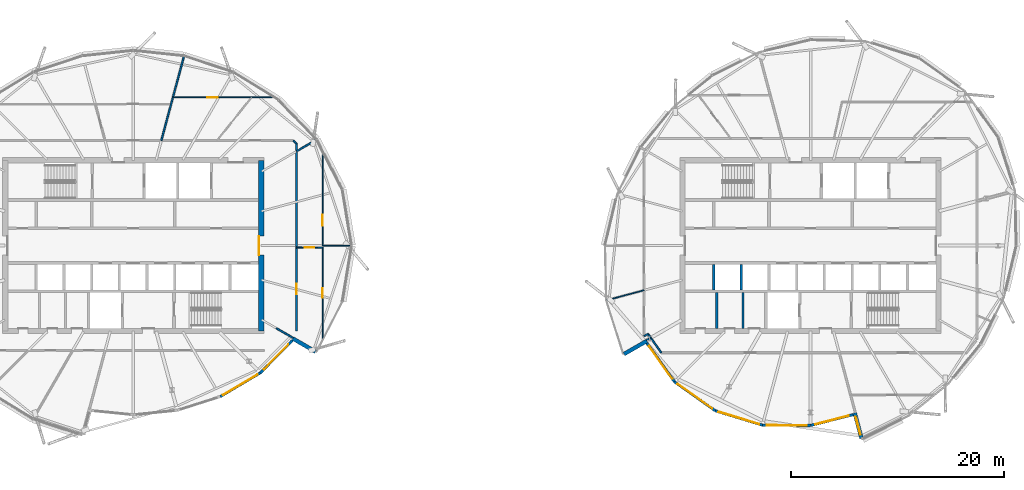
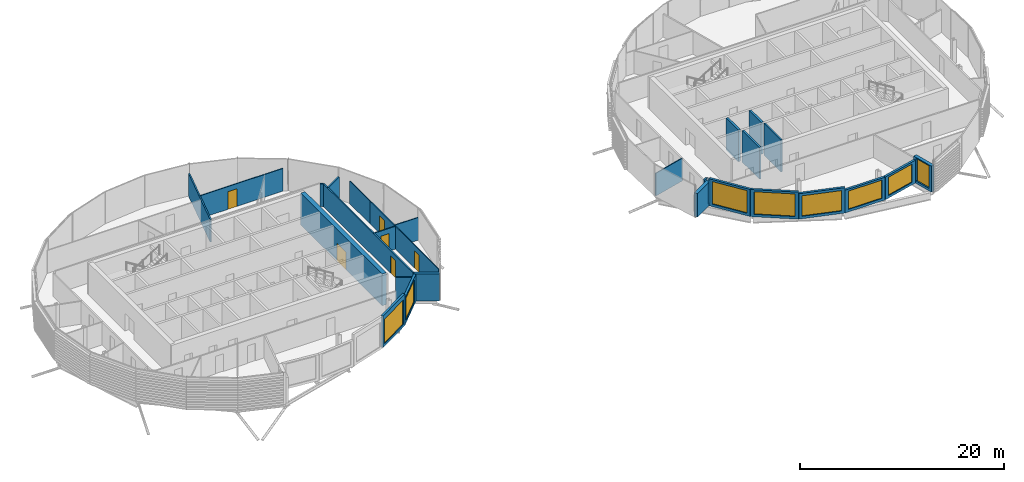
# One storey, part 19 of 33: 30 walls, 8 windows, 6 doors, 14 openings.
"""IFC4 building model written with IfcOpenShell, lengths in metres."""

from ifc_helpers import new_model, si_unit, direction, frame, frame_2d, origin, place, context, subcontext, project, spatial, rectangle, extrude, material, layer, layer_set, type_object, element, fill, save


model = new_model("IFC4")

# Units and contexts
model_context = context("Model", 3, precision=1e-05, world=origin(), true_north=direction((0.0, 1.0)))
body_context = subcontext(model_context, "Body", "Model", "MODEL_VIEW")
ifc_project = project(units=[si_unit("LENGTHUNIT", "METRE"), si_unit("AREAUNIT", "SQUARE_METRE"), si_unit("VOLUMEUNIT", "CUBIC_METRE"), si_unit("PLANEANGLEUNIT", "RADIAN"), si_unit("MASSUNIT", "GRAM", prefix="KILO")], contexts=[model_context])

# Site, building, storey
site_placement = place(None, origin())
site = spatial("IfcSite", under=ifc_project, at=site_placement, CompositionType="ELEMENT")
building_placement = place(site_placement, origin())
building = spatial("IfcBuilding", under=site, at=building_placement, Name="Rimbun Link Towers", CompositionType="ELEMENT")
storey_placement = place(building_placement, frame((0.0, 0.0, 240.89990234375)))
storey = spatial("IfcBuildingStorey", under=building, at=storey_placement, Name="L59", CompositionType="ELEMENT", Elevation=240.89990234375)

# Wall, opening, window
ifc_material_1 = material(Name="Dark enamelled glass spandrel on insulated aluminium backpan", Category="aluminium")
ifc_layer_1 = layer(ifc_material_1, 0.25)
ifc_layer_set_1 = layer_set([ifc_layer_1], Name="CS dark enamelled spandrel wall 250")
wall_type_1 = type_object("IfcWallType", Name="CS dark enamelled spandrel wall 250", PredefinedType="STANDARD", material=ifc_layer_set_1)
wall_1_placement = place(storey_placement, frame((-19.836669921875, -11.93505859375, 0.0), z_axis=(0.0, 0.0, 1.0), x_axis=(-0.860265171874, -0.50984687315, 0.0)))
wall_1 = element("IfcWall", 1, at=wall_1_placement, inside=storey, type_object=wall_type_1, Name="Crease spandrel wall", PredefinedType="STANDARD", context=body_context, shape_type="SweptSolid", body=[
    extrude(rectangle(XDim=4.36279296875, YDim=0.25, at=frame_2d((2.181396484375, 0.0))), origin(), (0.0, 0.0, 1.0), 3.800048828125),
])
opening_1_placement = place(wall_1_placement, frame((0.306396484375, 0.0, 0.300048828125)))
opening_1 = element("IfcOpeningElement", 2, at=opening_1_placement, cuts=wall_1, Name="Opening WR38H295", PredefinedType="OPENING", context=body_context, shape_type="SweptSolid", body=[
    extrude(rectangle(XDim=3.75, YDim=2.949951171875, at=frame_2d((1.875, 1.47509765625))), frame((0.0, 0.135009765625, 0.0), z_axis=(0.0, -1.0, 0.0), x_axis=(1.0, 0.0, 0.0)), (0.0, 0.0, 1.0), 0.27001953125),
])
ifc_material_2 = material(Name="Aluminium framed fixed window, dark tinted low-e glass", Category="aluminium")
window_type_1 = type_object("IfcWindowType", Name="WR ribbon window 3750X2950", PartitioningType="SINGLE_PANEL", PredefinedType="WINDOW", material=ifc_material_2)
window_1_placement = place(opening_1_placement, origin())
window_1 = element("IfcWindow", 3, at=window_1_placement, inside=storey, type_object=window_type_1, Name="Crease ribbon window", OverallHeight=2.949951171875, OverallWidth=3.75, PartitioningType="SINGLE_PANEL", PredefinedType="WINDOW", context=body_context, shape_type="SweptSolid", body=[
    extrude(rectangle(XDim=3.75, YDim=2.949951171875, at=frame_2d((1.875, 1.47509765625))), frame((0.0, 0.030029296875, 0.0), z_axis=(0.0, -1.0, 0.0), x_axis=(1.0, 0.0, 0.0)), (0.0, 0.0, 1.0), 0.06005859375),
])
fill(opening_1, window_1)

wall_2_placement = place(storey_placement, frame((-16.833251953125, -8.90087890625, 0.0), z_axis=(0.0, 0.0, 1.0), x_axis=(-0.703494922495, -0.710700284244, 0.0)))
wall_2 = element("IfcWall", 4, at=wall_2_placement, inside=storey, type_object=wall_type_1, Name="Crease spandrel wall", PredefinedType="STANDARD", context=body_context, shape_type="SweptSolid", body=[
    extrude(rectangle(XDim=4.269287109375, YDim=0.25, at=frame_2d((2.134765625, 0.0))), origin(), (0.0, 0.0, 1.0), 3.24365234375),
])
opening_2_placement = place(wall_2_placement, frame((0.54443359375, 0.0, 0.300048828125)))
opening_2 = element("IfcOpeningElement", 5, at=opening_2_placement, cuts=wall_2, Name="Opening WR32H270", PredefinedType="OPENING", context=body_context, shape_type="SweptSolid", body=[
    extrude(rectangle(XDim=3.25, YDim=2.699951171875, at=frame_2d((1.625, 1.35009765625))), frame((0.0, 0.135009765625, 0.0), z_axis=(0.0, -1.0, 0.0), x_axis=(1.0, 0.0, 0.0)), (0.0, 0.0, 1.0), 0.27001953125),
])
ifc_material_3 = material(Name="Aluminium framed fixed window, dark tinted low-e glass", Category="aluminium")
window_type_2 = type_object("IfcWindowType", Name="WR ribbon window 3250X2700", PartitioningType="SINGLE_PANEL", PredefinedType="WINDOW", material=ifc_material_3)
window_2_placement = place(opening_2_placement, origin())
window_2 = element("IfcWindow", 6, at=window_2_placement, inside=storey, type_object=window_type_2, Name="Crease ribbon window", OverallHeight=2.699951171875, OverallWidth=3.25, PartitioningType="SINGLE_PANEL", PredefinedType="WINDOW", context=body_context, shape_type="SweptSolid", body=[
    extrude(rectangle(XDim=3.25, YDim=2.699951171875, at=frame_2d((1.625, 1.35009765625))), frame((0.0, 0.030029296875, 0.0), z_axis=(0.0, -1.0, 0.0), x_axis=(1.0, 0.0, 0.0)), (0.0, 0.0, 1.0), 0.06005859375),
])
fill(opening_2, window_2)

wall_3_placement = place(storey_placement, frame((18.9853515625, -12.7646484375, 0.0), z_axis=(0.0, 0.0, 1.0), x_axis=(-0.579349370763, 0.81507932534, 0.0)))
wall_3 = element("IfcWall", 7, at=wall_3_placement, inside=storey, type_object=wall_type_1, Name="Crease spandrel wall", PredefinedType="STANDARD", context=body_context, shape_type="SweptSolid", body=[
    extrude(rectangle(XDim=4.442138671875, YDim=0.25, at=frame_2d((2.22119140625, 0.0))), origin(), (0.0, 0.0, 1.0), 3.24365234375),
])
opening_3_placement = place(wall_3_placement, frame((0.345947265625, 0.0, 0.300048828125)))
opening_3 = element("IfcOpeningElement", 8, at=opening_3_placement, cuts=wall_3, Name="Opening WR38H270", PredefinedType="OPENING", context=body_context, shape_type="SweptSolid", body=[
    extrude(rectangle(XDim=3.75, YDim=2.699951171875, at=frame_2d((1.875, 1.35009765625))), frame((0.0, 0.135009765625, 0.0), z_axis=(0.0, -1.0, 0.0), x_axis=(1.0, 0.0, 0.0)), (0.0, 0.0, 1.0), 0.27001953125),
])
ifc_material_4 = material(Name="Aluminium framed fixed window, dark tinted low-e glass", Category="aluminium")
window_type_3 = type_object("IfcWindowType", Name="WR ribbon window 3750X2700", PartitioningType="SINGLE_PANEL", PredefinedType="WINDOW", material=ifc_material_4)
window_3_placement = place(opening_3_placement, origin())
window_3 = element("IfcWindow", 9, at=window_3_placement, inside=storey, type_object=window_type_3, Name="Crease ribbon window", OverallHeight=2.699951171875, OverallWidth=3.75, PartitioningType="SINGLE_PANEL", PredefinedType="WINDOW", context=body_context, shape_type="SweptSolid", body=[
    extrude(rectangle(XDim=3.75, YDim=2.699951171875, at=frame_2d((1.875, 1.35009765625))), frame((0.0, 0.030029296875, 0.0), z_axis=(0.0, -1.0, 0.0), x_axis=(1.0, 0.0, 0.0)), (0.0, 0.0, 1.0), 0.06005859375),
])
fill(opening_3, window_3)

wall_4_placement = place(storey_placement, frame((22.8173828125, -15.488525390625, 0.0), z_axis=(0.0, 0.0, 1.0), x_axis=(-0.815068124379, 0.579365128931, 0.0)))
wall_4 = element("IfcWall", 10, at=wall_4_placement, inside=storey, type_object=wall_type_1, Name="Crease spandrel wall", PredefinedType="STANDARD", context=body_context, shape_type="SweptSolid", body=[
    extrude(rectangle(XDim=4.701416015625, YDim=0.25, at=frame_2d((2.3505859375, 0.0))), origin(), (0.0, 0.0, 1.0), 3.24365234375),
])
opening_4_placement = place(wall_4_placement, frame((0.350830078125, 0.0, 0.300048828125)))
opening_4 = element("IfcOpeningElement", 11, at=opening_4_placement, cuts=wall_4, Name="Opening WR40H270", PredefinedType="OPENING", context=body_context, shape_type="SweptSolid", body=[
    extrude(rectangle(XDim=4.0, YDim=2.699951171875, at=frame_2d((2.0, 1.35009765625))), frame((0.0, 0.135009765625, 0.0), z_axis=(0.0, -1.0, 0.0), x_axis=(1.0, 0.0, 0.0)), (0.0, 0.0, 1.0), 0.27001953125),
])
ifc_material_5 = material(Name="Aluminium framed fixed window, dark tinted low-e glass", Category="aluminium")
window_type_4 = type_object("IfcWindowType", Name="WR ribbon window 4000X2700", PartitioningType="SINGLE_PANEL", PredefinedType="WINDOW", material=ifc_material_5)
window_4_placement = place(opening_4_placement, origin())
window_4 = element("IfcWindow", 12, at=window_4_placement, inside=storey, type_object=window_type_4, Name="Crease ribbon window", OverallHeight=2.699951171875, OverallWidth=4.0, PartitioningType="SINGLE_PANEL", PredefinedType="WINDOW", context=body_context, shape_type="SweptSolid", body=[
    extrude(rectangle(XDim=4.0, YDim=2.699951171875, at=frame_2d((2.0, 1.35009765625))), frame((0.0, 0.030029296875, 0.0), z_axis=(0.0, -1.0, 0.0), x_axis=(1.0, 0.0, 0.0)), (0.0, 0.0, 1.0), 0.06005859375),
])
fill(opening_4, window_4)

wall_5_placement = place(storey_placement, frame((27.252197265625, -16.84033203125, 0.0), z_axis=(0.0, 0.0, 1.0), x_axis=(-0.956548795728, 0.291572291877, 0.0)))
wall_5 = element("IfcWall", 13, at=wall_5_placement, inside=storey, type_object=wall_type_1, Name="Crease spandrel wall", PredefinedType="STANDARD", context=body_context, shape_type="SweptSolid", body=[
    extrude(rectangle(XDim=4.63623046875, YDim=0.25, at=frame_2d((2.318115234375, 0.0))), origin(), (0.0, 0.0, 1.0), 3.047607421875),
])
opening_5_placement = place(wall_5_placement, frame((0.318115234375, 0.0, 0.300048828125)))
opening_5 = element("IfcOpeningElement", 14, at=opening_5_placement, cuts=wall_5, Name="Opening WR40H245", PredefinedType="OPENING", context=body_context, shape_type="SweptSolid", body=[
    extrude(rectangle(XDim=4.0, YDim=2.449951171875, at=frame_2d((2.0, 1.22509765625))), frame((0.0, 0.135009765625, 0.0), z_axis=(0.0, -1.0, 0.0), x_axis=(1.0, 0.0, 0.0)), (0.0, 0.0, 1.0), 0.27001953125),
])
ifc_material_6 = material(Name="Aluminium framed fixed window, dark tinted low-e glass", Category="aluminium")
window_type_5 = type_object("IfcWindowType", Name="WR ribbon window 4000X2450", PartitioningType="SINGLE_PANEL", PredefinedType="WINDOW", material=ifc_material_6)
window_5_placement = place(opening_5_placement, origin())
window_5 = element("IfcWindow", 15, at=window_5_placement, inside=storey, type_object=window_type_5, Name="Crease ribbon window", OverallHeight=2.449951171875, OverallWidth=4.0, PartitioningType="SINGLE_PANEL", PredefinedType="WINDOW", context=body_context, shape_type="SweptSolid", body=[
    extrude(rectangle(XDim=4.0, YDim=2.449951171875, at=frame_2d((2.0, 1.22509765625))), frame((0.0, 0.030029296875, 0.0), z_axis=(0.0, -1.0, 0.0), x_axis=(1.0, 0.0, 0.0)), (0.0, 0.0, 1.0), 0.06005859375),
])
fill(opening_5, window_5)

wall_6_placement = place(storey_placement, frame((31.765380859375, -16.86328125, 0.0), z_axis=(0.0, 0.0, 1.0), x_axis=(-0.999987071999, 0.005084863398, 0.0)))
wall_6 = element("IfcWall", 16, at=wall_6_placement, inside=storey, type_object=wall_type_1, Name="Crease spandrel wall", PredefinedType="STANDARD", context=body_context, shape_type="SweptSolid", body=[
    extrude(rectangle(XDim=4.51318359375, YDim=0.25, at=frame_2d((2.256591796875, 0.0))), origin(), (0.0, 0.0, 1.0), 2.731689453125),
])
opening_6_placement = place(wall_6_placement, frame((0.381591796875, 0.0, 0.300048828125)))
opening_6 = element("IfcOpeningElement", 17, at=opening_6_placement, cuts=wall_6, Name="Opening WR38H220", PredefinedType="OPENING", context=body_context, shape_type="SweptSolid", body=[
    extrude(rectangle(XDim=3.75, YDim=2.199951171875, at=frame_2d((1.875, 1.10009765625))), frame((0.0, 0.135009765625, 0.0), z_axis=(0.0, -1.0, 0.0), x_axis=(1.0, 0.0, 0.0)), (0.0, 0.0, 1.0), 0.27001953125),
])
ifc_material_7 = material(Name="Aluminium framed fixed window, dark tinted low-e glass", Category="aluminium")
window_type_6 = type_object("IfcWindowType", Name="WR ribbon window 3750X2200", PartitioningType="SINGLE_PANEL", PredefinedType="WINDOW", material=ifc_material_7)
window_6_placement = place(opening_6_placement, origin())
window_6 = element("IfcWindow", 18, at=window_6_placement, inside=storey, type_object=window_type_6, Name="Crease ribbon window", OverallHeight=2.199951171875, OverallWidth=3.75, PartitioningType="SINGLE_PANEL", PredefinedType="WINDOW", context=body_context, shape_type="SweptSolid", body=[
    extrude(rectangle(XDim=3.75, YDim=2.199951171875, at=frame_2d((1.875, 1.10009765625))), frame((0.0, 0.030029296875, 0.0), z_axis=(0.0, -1.0, 0.0), x_axis=(1.0, 0.0, 0.0)), (0.0, 0.0, 1.0), 0.06005859375),
])
fill(opening_6, window_6)

wall_7_placement = place(storey_placement, frame((35.737548828125, -15.84765625, 0.0), z_axis=(0.0, 0.0, 1.0), x_axis=(-0.96883262214, -0.247716269705, 0.0)))
wall_7 = element("IfcWall", 19, at=wall_7_placement, inside=storey, type_object=wall_type_1, Name="Crease spandrel wall", PredefinedType="STANDARD", context=body_context, shape_type="SweptSolid", body=[
    extrude(rectangle(XDim=4.099853515625, YDim=0.25, at=frame_2d((2.0498046875, 0.0))), origin(), (0.0, 0.0, 1.0), 2.731689453125),
])
opening_7_placement = place(wall_7_placement, frame((0.425048828125, 0.0, 0.300048828125)))
opening_7 = element("IfcOpeningElement", 20, at=opening_7_placement, cuts=wall_7, Name="Opening WR32H220", PredefinedType="OPENING", context=body_context, shape_type="SweptSolid", body=[
    extrude(rectangle(XDim=3.25, YDim=2.199951171875, at=frame_2d((1.625, 1.10009765625))), frame((0.0, 0.135009765625, 0.0), z_axis=(0.0, -1.0, 0.0), x_axis=(1.0, 0.0, 0.0)), (0.0, 0.0, 1.0), 0.27001953125),
])
ifc_material_8 = material(Name="Aluminium framed fixed window, dark tinted low-e glass", Category="aluminium")
window_type_7 = type_object("IfcWindowType", Name="WR ribbon window 3250X2200", PartitioningType="SINGLE_PANEL", PredefinedType="WINDOW", material=ifc_material_8)
window_7_placement = place(opening_7_placement, origin())
window_7 = element("IfcWindow", 21, at=window_7_placement, inside=storey, type_object=window_type_7, Name="Crease ribbon window", OverallHeight=2.199951171875, OverallWidth=3.25, PartitioningType="SINGLE_PANEL", PredefinedType="WINDOW", context=body_context, shape_type="SweptSolid", body=[
    extrude(rectangle(XDim=3.25, YDim=2.199951171875, at=frame_2d((1.625, 1.10009765625))), frame((0.0, 0.030029296875, 0.0), z_axis=(0.0, -1.0, 0.0), x_axis=(1.0, 0.0, 0.0)), (0.0, 0.0, 1.0), 0.06005859375),
])
fill(opening_7, window_7)

# Walls
ifc_material_9 = material(Name="Dark enamelled glass spandrel on insulated aluminium backpan", Category="aluminium")
ifc_layer_2 = layer(ifc_material_9, 0.3701171875)
ifc_layer_set_2 = layer_set([ifc_layer_2], Name="CS dark enamelled spandrel wall 370")
wall_type_2 = type_object("IfcWallType", Name="CS dark enamelled spandrel wall 370", PredefinedType="STANDARD", material=ifc_layer_set_2)
wall_8_placement = place(storey_placement, frame((-14.648193359375, -9.948974609375, 0.0), z_axis=(0.0, 0.0, 1.0), x_axis=(-0.866023285932, 0.50000366821, 0.0)))
element("IfcWall", 22, at=wall_8_placement, inside=storey, type_object=wall_type_2, Name="Crease spandrel wall", PredefinedType="STANDARD", context=body_context, shape_type="SweptSolid", body=[
    extrude(rectangle(XDim=2.47998046875, YDim=0.3701171875, at=frame_2d((1.239990234375, 0.0))), origin(), (0.0, 0.0, 1.0), 3.24365234375),
])
wall_9_placement = place(storey_placement, frame((16.40771484375, -8.93310546875, 0.0), z_axis=(0.0, 0.0, 1.0), x_axis=(-0.866023285932, -0.50000366821, 0.0)))
element("IfcWall", 23, at=wall_9_placement, inside=storey, type_object=wall_type_2, Name="Crease spandrel wall", PredefinedType="STANDARD", context=body_context, shape_type="SweptSolid", body=[
    extrude(rectangle(XDim=2.47998046875, YDim=0.3701171875, at=frame_2d((1.239990234375, 0.0))), origin(), (0.0, 0.0, 1.0), 2.809326171875),
])

# Wall, opening, window
wall_10_placement = place(storey_placement, frame((36.5263671875, -18.0771484375, 0.0), z_axis=(0.0, 0.0, 1.0), x_axis=(-0.258808255004, 0.965928717423, 0.0)))
wall_10 = element("IfcWall", 24, at=wall_10_placement, inside=storey, type_object=wall_type_2, Name="Crease spandrel wall", PredefinedType="STANDARD", context=body_context, shape_type="SweptSolid", body=[
    extrude(rectangle(XDim=2.47998046875, YDim=0.3701171875, at=frame_2d((1.239990234375, 0.0))), origin(), (0.0, 0.0, 1.0), 3.1171875),
])
opening_8_placement = place(wall_10_placement, frame((0.364990234375, 0.0, 0.300048828125)))
opening_8 = element("IfcOpeningElement", 25, at=opening_8_placement, cuts=wall_10, Name="Opening WR18H270", PredefinedType="OPENING", context=body_context, shape_type="SweptSolid", body=[
    extrude(rectangle(XDim=1.75, YDim=2.699951171875, at=frame_2d((0.875, 1.35009765625))), frame((0.0, 0.195068359375, 0.0), z_axis=(0.0, -1.0, 0.0), x_axis=(1.0, 0.0, 0.0)), (0.0, 0.0, 1.0), 0.39013671875),
])
ifc_material_10 = material(Name="Aluminium framed fixed window, dark tinted low-e glass", Category="aluminium")
window_type_8 = type_object("IfcWindowType", Name="WR ribbon window 1750X2700", PartitioningType="SINGLE_PANEL", PredefinedType="WINDOW", material=ifc_material_10)
window_8_placement = place(opening_8_placement, origin())
window_8 = element("IfcWindow", 26, at=window_8_placement, inside=storey, type_object=window_type_8, Name="Crease ribbon window", OverallHeight=2.699951171875, OverallWidth=1.75, PartitioningType="SINGLE_PANEL", PredefinedType="WINDOW", context=body_context, shape_type="SweptSolid", body=[
    extrude(rectangle(XDim=1.75, YDim=2.699951171875, at=frame_2d((0.875, 1.35009765625))), frame((0.0, 0.030029296875, 0.0), z_axis=(0.0, -1.0, 0.0), x_axis=(1.0, 0.0, 0.0)), (0.0, 0.0, 1.0), 0.06005859375),
])
fill(opening_8, window_8)

# Walls
ifc_material_11 = material(Name="Masonry blockwork", Category="masonry")
ifc_layer_3 = layer(ifc_material_11, 0.199951171875)
ifc_layer_set_3 = layer_set([ifc_layer_3], Name="Core partition 200")
wall_type_3 = type_object("IfcWallType", Name="Core partition 200", PredefinedType="PARTITIONING", material=ifc_layer_set_3)
for number, where, z_axis, x_axis, name in (
    (27, (22.949951171875, -4.39990234375, 0.0), (0.0, 0.0, 1.0), (0.0, -1.0, 0.0), "L59 T2 core wall C1"),
    (28, (25.39990234375, -4.39990234375, 0.0), (0.0, 0.0, 1.0), (0.0, -1.0, 0.0), "L59 T2 core wall C2"),
):
    element("IfcWall", number, at=place(storey_placement, frame(where, z_axis=z_axis, x_axis=x_axis)), inside=storey, type_object=wall_type_3, Name=name, PredefinedType="PARTITIONING", context=body_context, shape_type="SweptSolid", body=[
        extrude(rectangle(XDim=3.35009765625, YDim=0.199951171875, at=frame_2d((1.675048828125, 0.0))), origin(), (0.0, 0.0, 1.0), 3.800048828125),
    ])

# Wall, opening, door
ifc_material_12 = material(Name="Concrete C60/75", Category="concrete")
ifc_layer_4 = layer(ifc_material_12, 0.5)
ifc_layer_set_4 = layer_set([ifc_layer_4], Name="Core shear wall 500")
wall_type_4 = type_object("IfcWallType", Name="Core shear wall 500", PredefinedType="SHEAR", material=ifc_layer_set_4)
wall_11_placement = place(storey_placement, frame((-19.75, -8.0, 0.0), z_axis=(0.0, 0.0, 1.0), x_axis=(0.0, 1.0, 0.0)))
wall_11 = element("IfcWall", 29, at=wall_11_placement, inside=storey, type_object=wall_type_4, Name="L59 T1 core wall E", PredefinedType="SHEAR", context=body_context, shape_type="SweptSolid", body=[
    extrude(rectangle(XDim=16.0, YDim=0.5, at=frame_2d((8.0, 0.0))), origin(), (0.0, 0.0, 1.0), 3.800048828125),
])
opening_9_placement = place(wall_11_placement, frame((7.10009765625, 0.0, 0.0)))
opening_9 = element("IfcOpeningElement", 30, at=opening_9_placement, cuts=wall_11, Name="Opening C1DCL01E", PredefinedType="OPENING", context=body_context, shape_type="SweptSolid", body=[
    extrude(rectangle(XDim=1.800048828125, YDim=2.10009765625, at=frame_2d((0.89990234375, 1.050048828125))), frame((0.0, 0.260009765625, 0.0), z_axis=(0.0, -1.0, 0.0), x_axis=(1.0, 0.0, 0.0)), (0.0, 0.0, 1.0), 0.52001953125),
])
ifc_material_13 = material(Name="Steel fire door set", Category="steel")
door_type_1 = type_object("IfcDoorType", Name="Core lobby door double", OperationType="DOUBLE_DOOR_SINGLE_SWING", PredefinedType="DOOR", material=ifc_material_13)
door_1_placement = place(opening_9_placement, origin())
door_1 = element("IfcDoor", 31, at=door_1_placement, inside=storey, type_object=door_type_1, Name="L59 T1 lift lobby door", OperationType="DOUBLE_DOOR_SINGLE_SWING", OverallHeight=2.10009765625, OverallWidth=1.800048828125, PredefinedType="DOOR", context=body_context, shape_type="SweptSolid", body=[
    extrude(rectangle(XDim=1.800048828125, YDim=2.10009765625, at=frame_2d((0.89990234375, 1.050048828125))), frame((0.0, 0.25, 0.0), z_axis=(0.0, -1.0, 0.0), x_axis=(1.0, 0.0, 0.0)), (0.0, 0.0, 1.0), 0.050048828125),
])
fill(opening_9, door_1)

ifc_material_14 = material(Name="Plasterboard on steel stud, mineral wool", Category="steel")
ifc_layer_5 = layer(ifc_material_14, 0.14990234375)
ifc_layer_set_5 = layer_set([ifc_layer_5], Name="Corridor wall EI 30 150 mm")
wall_type_5 = type_object("IfcWallType", Name="Corridor wall EI 30 150 mm", PredefinedType="PARTITIONING", material=ifc_layer_set_5)
wall_12_placement = place(storey_placement, frame((-16.445068359375, 9.543701171875, 0.0), z_axis=(0.0, 0.0, 1.0), x_axis=(0.0, -1.0, 0.0)))
wall_12 = element("IfcWall", 32, at=wall_12_placement, inside=storey, type_object=wall_type_5, Name="Corridor wall EI 30 150 mm", PredefinedType="PARTITIONING", context=body_context, shape_type="SweptSolid", body=[
    extrude(rectangle(XDim=17.53564453125, YDim=0.14990234375, at=frame_2d((8.767822265625, 0.0))), origin(), (0.0, 0.0, 1.0), 2.72216796875),
])
opening_10_placement = place(wall_12_placement, frame((13.127197265625, 0.0, 0.0)))
opening_10 = element("IfcOpeningElement", 33, at=opening_10_placement, cuts=wall_12, Name="Opening D01", PredefinedType="OPENING", context=body_context, shape_type="SweptSolid", body=[
    extrude(rectangle(XDim=1.0, YDim=2.10009765625, at=frame_2d((0.5, 1.050048828125))), frame((0.0, 0.0849609375, 0.0), z_axis=(0.0, -1.0, 0.0), x_axis=(1.0, 0.0, 0.0)), (0.0, 0.0, 1.0), 0.169921875),
])
ifc_material_15 = material(Name="Fire-resisting timber door leaf", Category="wood")
door_type_2 = type_object("IfcDoorType", Name="Fire door FD30S 1000", OperationType="NOTDEFINED", PredefinedType="DOOR", material=ifc_material_15)
door_2_placement = place(opening_10_placement, origin())
door_2 = element("IfcDoor", 34, at=door_2_placement, inside=storey, type_object=door_type_2, Name="Fire door FD30S 1000 to Reception", OperationType="SINGLE_SWING_LEFT", OverallHeight=2.10009765625, OverallWidth=1.0, PredefinedType="DOOR", context=body_context, shape_type="SweptSolid", body=[
    extrude(rectangle(XDim=1.0, YDim=2.10009765625, at=frame_2d((0.5, 1.050048828125))), frame((0.0, 0.02490234375, 0.0), z_axis=(0.0, -1.0, 0.0), x_axis=(1.0, 0.0, 0.0)), (0.0, 0.0, 1.0), 0.050048828125),
])
fill(opening_10, door_2)

# Walls
wall_13_placement = place(storey_placement, frame((-16.445068359375, 9.543701171875, 0.0), z_axis=(0.0, 0.0, 1.0), x_axis=(-0.707106781187, 0.707106781187, 0.0)))
element("IfcWall", 35, at=wall_13_placement, inside=storey, type_object=wall_type_5, Name="Corridor wall EI 30 150 mm", PredefinedType="PARTITIONING", context=body_context, shape_type="SweptSolid", body=[
    extrude(rectangle(XDim=0.426025390625, YDim=0.14990234375, at=frame_2d((0.212890625, 0.0))), origin(), (0.0, 0.0, 1.0), 2.72216796875),
])
wall_14_placement = place(storey_placement, frame((16.504638671875, -8.2822265625, 0.0), z_axis=(0.0, 0.0, 1.0), x_axis=(0.579357158971, -0.815073789512, 0.0)))
element("IfcWall", 36, at=wall_14_placement, inside=storey, type_object=wall_type_5, Name="Corridor wall EI 30 150 mm", PredefinedType="PARTITIONING", context=body_context, shape_type="SweptSolid", body=[
    extrude(rectangle(XDim=2.16259765625, YDim=0.14990234375, at=frame_2d((1.081298828125, 0.0))), origin(), (0.0, 0.0, 1.0), 2.72216796875),
])
wall_15_placement = place(storey_placement, frame((16.14501953125, -8.489990234375, 0.0), z_axis=(0.0, 0.0, 1.0), x_axis=(0.86588204838, 0.500248216681, 0.0)))
element("IfcWall", 37, at=wall_15_placement, inside=storey, type_object=wall_type_5, Name="Corridor wall EI 30 150 mm", PredefinedType="PARTITIONING", context=body_context, shape_type="SweptSolid", body=[
    extrude(rectangle(XDim=0.415283203125, YDim=0.14990234375, at=frame_2d((0.20751953125, 0.0))), origin(), (0.0, 0.0, 1.0), 2.72216796875),
])

# Wall, opening, door
ifc_material_16 = material(Name="Plasterboard on steel stud", Category="steel")
ifc_layer_6 = layer(ifc_material_16, 0.10009765625)
ifc_layer_set_6 = layer_set([ifc_layer_6], Name="Plasterboard partition 100 mm")
wall_type_6 = type_object("IfcWallType", Name="Plasterboard partition 100 mm", PredefinedType="PARTITIONING", material=ifc_layer_set_6)
wall_16_placement = place(storey_placement, frame((-16.445068359375, -0.1748046875, 0.0), z_axis=(0.0, 0.0, 1.0), x_axis=(0.999934875119, -0.011412515943, 0.0)))
wall_16 = element("IfcWall", 38, at=wall_16_placement, inside=storey, type_object=wall_type_6, Name="Plasterboard partition 100 mm", PredefinedType="PARTITIONING", context=body_context, shape_type="SweptSolid", body=[
    extrude(rectangle(XDim=2.460205078125, YDim=0.10009765625, at=frame_2d((1.22998046875, 0.0))), origin(), (0.0, 0.0, 1.0), 2.72216796875),
])
opening_11_placement = place(wall_16_placement, frame((0.780029296875, 0.0, 0.0)))
opening_11 = element("IfcOpeningElement", 39, at=opening_11_placement, cuts=wall_16, Name="Opening D04", PredefinedType="OPENING", context=body_context, shape_type="SweptSolid", body=[
    extrude(rectangle(XDim=0.89990234375, YDim=2.10009765625, at=frame_2d((0.449951171875, 1.050048828125))), frame((0.0, 0.06005859375, 0.0), z_axis=(0.0, -1.0, 0.0), x_axis=(1.0, 0.0, 0.0)), (0.0, 0.0, 1.0), 0.1201171875),
])
ifc_material_17 = material(Name="Timber door leaf", Category="wood")
door_type_3 = type_object("IfcDoorType", Name="Flush door 900", OperationType="NOTDEFINED", PredefinedType="DOOR", material=ifc_material_17)
door_3_placement = place(opening_11_placement, origin())
door_3 = element("IfcDoor", 40, at=door_3_placement, inside=storey, type_object=door_type_3, Name="Flush door 900 to Meeting room", OperationType="SINGLE_SWING_LEFT", OverallHeight=2.10009765625, OverallWidth=0.89990234375, PredefinedType="DOOR", context=body_context, shape_type="SweptSolid", body=[
    extrude(rectangle(XDim=0.89990234375, YDim=2.10009765625, at=frame_2d((0.449951171875, 1.050048828125))), frame((0.0, 0.02490234375, 0.0), z_axis=(0.0, -1.0, 0.0), x_axis=(1.0, 0.0, 0.0)), (0.0, 0.0, 1.0), 0.050048828125),
])
fill(opening_11, door_3)

wall_17_placement = place(storey_placement, frame((-13.985107421875, -0.1728515625, 0.0), z_axis=(0.0, 0.0, 1.0), x_axis=(0.0, -1.0, 0.0)))
wall_17 = element("IfcWall", 41, at=wall_17_placement, inside=storey, type_object=wall_type_6, Name="Plasterboard partition 100 mm", PredefinedType="PARTITIONING", context=body_context, shape_type="SweptSolid", body=[
    extrude(rectangle(XDim=8.54443359375, YDim=0.10009765625, at=frame_2d((4.272216796875, 0.0))), origin(), (0.0, 0.0, 1.0), 2.72216796875),
])
opening_12_placement = place(wall_17_placement, frame((3.822265625, 0.0, 0.0)))
opening_12 = element("IfcOpeningElement", 42, at=opening_12_placement, cuts=wall_17, Name="Opening D04", PredefinedType="OPENING", context=body_context, shape_type="SweptSolid", body=[
    extrude(rectangle(XDim=0.89990234375, YDim=2.10009765625, at=frame_2d((0.449951171875, 1.050048828125))), frame((0.0, 0.06005859375, 0.0), z_axis=(0.0, -1.0, 0.0), x_axis=(1.0, 0.0, 0.0)), (0.0, 0.0, 1.0), 0.1201171875),
])
door_4_placement = place(opening_12_placement, origin())
door_4 = element("IfcDoor", 43, at=door_4_placement, inside=storey, type_object=door_type_3, Name="Flush door 900 to Executive office", OperationType="SINGLE_SWING_RIGHT", OverallHeight=2.10009765625, OverallWidth=0.89990234375, PredefinedType="DOOR", context=body_context, shape_type="SweptSolid", body=[
    extrude(rectangle(XDim=0.89990234375, YDim=2.10009765625, at=frame_2d((0.449951171875, 1.050048828125))), frame((0.0, 0.02490234375, 0.0), z_axis=(0.0, -1.0, 0.0), x_axis=(1.0, 0.0, 0.0)), (0.0, 0.0, 1.0), 0.050048828125),
])
fill(opening_12, door_4)

wall_18_placement = place(storey_placement, frame((-13.985107421875, 4.76025390625, 0.0), z_axis=(0.0, 0.0, 1.0), x_axis=(0.0, -1.0, 0.0)))
wall_18 = element("IfcWall", 44, at=wall_18_placement, inside=storey, type_object=wall_type_6, Name="Plasterboard partition 100 mm", PredefinedType="PARTITIONING", context=body_context, shape_type="SweptSolid", body=[
    extrude(rectangle(XDim=4.76025390625, YDim=0.10009765625, at=frame_2d((2.380126953125, 0.0))), origin(), (0.0, 0.0, 1.0), 2.72216796875),
])
opening_13_placement = place(wall_18_placement, frame((1.880126953125, 0.0, 0.0)))
opening_13 = element("IfcOpeningElement", 45, at=opening_13_placement, cuts=wall_18, Name="Opening D03", PredefinedType="OPENING", context=body_context, shape_type="SweptSolid", body=[
    extrude(rectangle(XDim=1.0, YDim=2.10009765625, at=frame_2d((0.5, 1.050048828125))), frame((0.0, 0.06005859375, 0.0), z_axis=(0.0, -1.0, 0.0), x_axis=(1.0, 0.0, 0.0)), (0.0, 0.0, 1.0), 0.1201171875),
])
ifc_material_18 = material(Name="Timber door leaf", Category="wood")
door_type_4 = type_object("IfcDoorType", Name="Flush door 1000", OperationType="NOTDEFINED", PredefinedType="DOOR", material=ifc_material_18)
door_5_placement = place(opening_13_placement, origin())
door_5 = element("IfcDoor", 46, at=door_5_placement, inside=storey, type_object=door_type_4, Name="Flush door 1000 to Open office", OperationType="SINGLE_SWING_RIGHT", OverallHeight=2.10009765625, OverallWidth=1.0, PredefinedType="DOOR", context=body_context, shape_type="SweptSolid", body=[
    extrude(rectangle(XDim=1.0, YDim=2.10009765625, at=frame_2d((0.5, 1.050048828125))), frame((0.0, 0.02490234375, 0.0), z_axis=(0.0, -1.0, 0.0), x_axis=(1.0, 0.0, 0.0)), (0.0, 0.0, 1.0), 0.050048828125),
])
fill(opening_13, door_5)

# Walls
wall_19_placement = place(storey_placement, frame((-13.985107421875, 4.76025390625, 0.0), z_axis=(0.0, 0.0, 1.0), x_axis=(0.0, 1.0, 0.0)))
element("IfcWall", 47, at=wall_19_placement, inside=storey, type_object=wall_type_6, Name="Plasterboard partition 100 mm", PredefinedType="PARTITIONING", context=body_context, shape_type="SweptSolid", body=[
    extrude(rectangle(XDim=3.95703125, YDim=0.10009765625, at=frame_2d((1.978515625, 0.0))), origin(), (0.0, 0.0, 1.0), 2.72216796875),
])
wall_20_placement = place(storey_placement, frame((-11.32470703125, 0.0, 0.0), z_axis=(0.0, 0.0, 1.0), x_axis=(-1.0, 0.0, 0.0)))
element("IfcWall", 48, at=wall_20_placement, inside=storey, type_object=wall_type_6, Name="Plasterboard partition 100 mm", PredefinedType="PARTITIONING", context=body_context, shape_type="SweptSolid", body=[
    extrude(rectangle(XDim=2.660400390625, YDim=0.10009765625, at=frame_2d((1.330078125, 0.0))), origin(), (0.0, 0.0, 1.0), 2.72216796875),
])

# Wall, opening, door
wall_21_placement = place(storey_placement, frame((-28.02685546875, 13.89501953125, 0.0), z_axis=(0.0, 0.0, 1.0), x_axis=(1.0, 0.0, 0.0)))
wall_21 = element("IfcWall", 49, at=wall_21_placement, inside=storey, type_object=wall_type_6, Name="Plasterboard partition 100 mm", PredefinedType="PARTITIONING", context=body_context, shape_type="SweptSolid", body=[
    extrude(rectangle(XDim=9.405517578125, YDim=0.10009765625, at=frame_2d((4.70263671875, 0.0))), origin(), (0.0, 0.0, 1.0), 2.72216796875),
])
opening_14_placement = place(wall_21_placement, frame((3.197998046875, 0.0, 0.0)))
opening_14 = element("IfcOpeningElement", 50, at=opening_14_placement, cuts=wall_21, Name="Opening D03", PredefinedType="OPENING", context=body_context, shape_type="SweptSolid", body=[
    extrude(rectangle(XDim=1.0, YDim=2.10009765625, at=frame_2d((0.5, 1.050048828125))), frame((0.0, 0.06005859375, 0.0), z_axis=(0.0, -1.0, 0.0), x_axis=(1.0, 0.0, 0.0)), (0.0, 0.0, 1.0), 0.1201171875),
])
door_6_placement = place(opening_14_placement, origin())
door_6 = element("IfcDoor", 51, at=door_6_placement, inside=storey, type_object=door_type_4, Name="Flush door 1000 to Boardroom", OperationType="SINGLE_SWING_LEFT", OverallHeight=2.10009765625, OverallWidth=1.0, PredefinedType="DOOR", context=body_context, shape_type="SweptSolid", body=[
    extrude(rectangle(XDim=1.0, YDim=2.10009765625, at=frame_2d((0.5, 1.050048828125))), frame((0.0, 0.02490234375, 0.0), z_axis=(0.0, -1.0, 0.0), x_axis=(1.0, 0.0, 0.0)), (0.0, 0.0, 1.0), 0.050048828125),
])
fill(opening_14, door_6)

# Walls
wall_22_placement = place(storey_placement, frame((12.61962890625, -5.1259765625, 0.0), z_axis=(0.0, 0.0, 1.0), x_axis=(0.965928942389, 0.258807415381, 0.0)))
element("IfcWall", 52, at=wall_22_placement, inside=storey, type_object=wall_type_6, Name="Plasterboard partition 100 mm", PredefinedType="PARTITIONING", context=body_context, shape_type="SweptSolid", body=[
    extrude(rectangle(XDim=3.649658203125, YDim=0.10009765625, at=frame_2d((1.82470703125, 0.0))), origin(), (0.0, 0.0, 1.0), 2.72216796875),
])
ifc_material_19 = material(Name="Concrete C60/75", Category="concrete")
ifc_layer_7 = layer(ifc_material_19, 0.25)
ifc_layer_set_7 = layer_set([ifc_layer_7], Name="Shaft wall 250")
wall_type_7 = type_object("IfcWallType", Name="Shaft wall 250", PredefinedType="SHEAR", material=ifc_layer_set_7)
for number, where, z_axis, x_axis, name in (
    (53, (22.66943359375, -4.14990234375, 0.0), (0.0, 0.0, 1.0), (0.0, 1.0, 0.0), "L59 T2 core wall DS0"),
    (54, (25.263916015625, -4.14990234375, 0.0), (0.0, 0.0, 1.0), (0.0, 1.0, 0.0), "L59 T2 core wall DS1"),
):
    element("IfcWall", number, at=place(storey_placement, frame(where, z_axis=z_axis, x_axis=x_axis)), inside=storey, type_object=wall_type_7, Name=name, PredefinedType="SHEAR", context=body_context, shape_type="SweptSolid", body=[
        extrude(rectangle(XDim=2.39990234375, YDim=0.25, at=frame_2d((1.199951171875, 0.0))), origin(), (0.0, 0.0, 1.0), 3.800048828125),
    ])
ifc_material_20 = material(Name="Plasterboard on steel stud, mineral wool", Category="steel")
ifc_layer_8 = layer(ifc_material_20, 0.14990234375)
ifc_layer_set_8 = layer_set([ifc_layer_8], Name="Tenancy separation wall EI 60 150 mm")
wall_type_8 = type_object("IfcWallType", Name="Tenancy separation wall EI 60 150 mm", PredefinedType="PARTITIONING", material=ifc_layer_set_8)
wall_23_placement = place(storey_placement, frame((-16.445068359375, 8.83642578125, 0.0), z_axis=(0.0, 0.0, 1.0), x_axis=(0.866029242824, 0.49999335053, 0.0)))
element("IfcWall", 55, at=wall_23_placement, inside=storey, type_object=wall_type_8, Name="Tenancy separation wall EI 60 150 mm", PredefinedType="PARTITIONING", context=body_context, shape_type="SweptSolid", body=[
    extrude(rectangle(XDim=2.13232421875, YDim=0.14990234375, at=frame_2d((1.066162109375, 0.0))), origin(), (0.0, 0.0, 1.0), 2.72216796875),
])
wall_24_placement = place(storey_placement, frame((-29.112060546875, 9.844970703125, 0.0), z_axis=(0.0, 0.0, 1.0), x_axis=(0.258821226931, 0.965925241667, 0.0)))
element("IfcWall", 56, at=wall_24_placement, inside=storey, type_object=wall_type_8, Name="Tenancy separation wall EI 60 150 mm", PredefinedType="PARTITIONING", context=body_context, shape_type="SweptSolid", body=[
    extrude(rectangle(XDim=8.169677734375, YDim=0.14990234375, at=frame_2d((4.0849609375, 0.0))), origin(), (0.0, 0.0, 1.0), 2.72216796875),
])
wall_25_placement = place(storey_placement, frame((-18.333984375, -7.745849609375, 0.0), z_axis=(0.0, 0.0, 1.0), x_axis=(0.866064548375, -0.499932193451, 0.0)))
element("IfcWall", 57, at=wall_25_placement, inside=storey, type_object=wall_type_8, Name="Tenancy separation wall EI 60 150 mm", PredefinedType="PARTITIONING", context=body_context, shape_type="SweptSolid", body=[
    extrude(rectangle(XDim=1.813720703125, YDim=0.14990234375, at=frame_2d((0.90673828125, 0.0))), origin(), (0.0, 0.0, 1.0), 2.72216796875),
])
wall_26_placement = place(storey_placement, frame((16.7666015625, -8.650634765625, 0.0), z_axis=(0.0, 0.0, 1.0), x_axis=(-0.866041729639, -0.499971721724, 0.0)))
element("IfcWall", 58, at=wall_26_placement, inside=storey, type_object=wall_type_8, Name="Tenancy separation wall EI 60 150 mm", PredefinedType="PARTITIONING", context=body_context, shape_type="SweptSolid", body=[
    extrude(rectangle(XDim=0.4521484375, YDim=0.14990234375, at=frame_2d((0.22607421875, 0.0))), origin(), (0.0, 0.0, 1.0), 2.72216796875),
])

save(model, "model.ifc")
